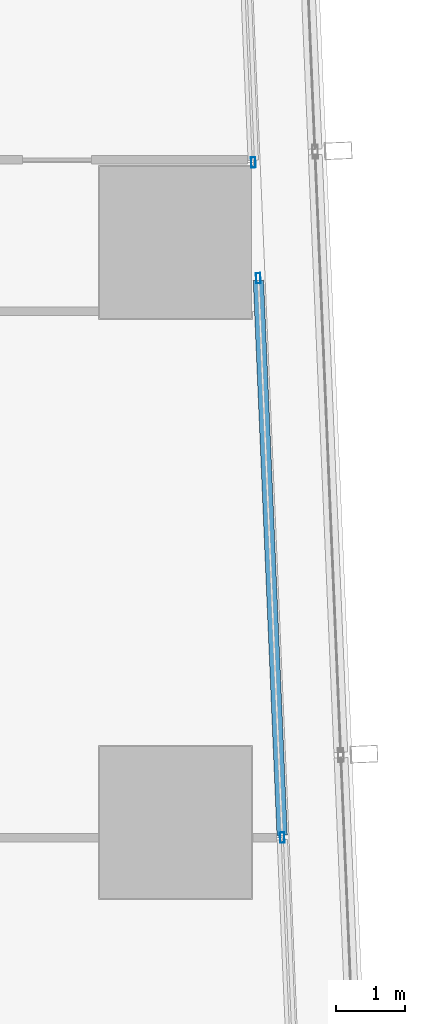
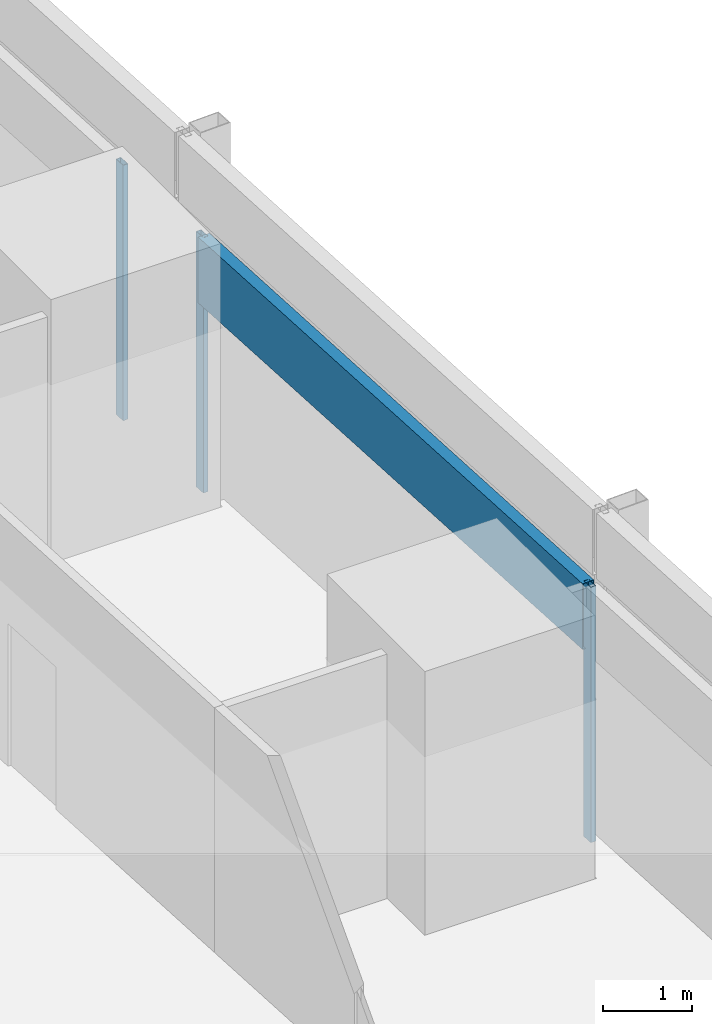
# One storey, part 18 of 42: 4 members, 2 elements without a shape of their own.
"""IFC4 building model written with IfcOpenShell, lengths in metres."""

import ifcopenshell
import ifcopenshell.guid

model = None  # the IFC model being written
_history = None  # IfcOwnerHistory: only IFC2X3 demands one
_inside = {}  # id of a spatial element -> (the spatial element, [elements in it])
_under = {}  # id of a project, library or spatial element -> (it, [spatial elements below it])
_declared = {}  # id of a project -> (the project, [libraries it declares])
_typed = {}  # id of a type object -> (the type object, [elements of that type])
_made_of = {}  # id of a material, layer set ... -> (it, [elements and type objects made of it])


def new_model(schema):
    """Start an empty IFC model of exactly this schema.

    Asked for "IFC4X3", IfcOpenShell would pick the latest addendum, in which some entities
    have other attributes; the version numbers below select the first issue.
    IFC2X3 requires an IfcOwnerHistory on every rooted entity: one is made here for all.
    """
    global model, _history
    if schema == "IFC4X3":
        model = ifcopenshell.file(schema_version=(4, 3, 0, 0))
    else:
        model = ifcopenshell.file(schema=schema)
    _inside.clear()
    _under.clear()
    _declared.clear()
    _typed.clear()
    _made_of.clear()
    _history = None
    if model.schema == "IFC2X3":
        org = make("IfcOrganization", Name="unknown")
        user = make(
            "IfcPersonAndOrganization",
            ThePerson=make("IfcPerson", FamilyName="unknown"),
            TheOrganization=org,
        )
        app = make(
            "IfcApplication",
            ApplicationDeveloper=org,
            Version="unknown",
            ApplicationFullName="unknown",
            ApplicationIdentifier="unknown",
        )
        _history = make(
            "IfcOwnerHistory",
            OwningUser=user,
            OwningApplication=app,
            ChangeAction="ADDED",
            CreationDate=0,
        )
    return model


def make(cls, **values):
    """One entity of the class cls with the attributes given. An attribute that is None is left unset."""
    return model.create_entity(
        cls, **{name: value for name, value in values.items() if value is not None}
    )


def rooted(cls, **values):
    """An entity with a GlobalId (a new one), such as an element, a storey or a relation."""
    return make(cls, GlobalId=ifcopenshell.guid.new(), OwnerHistory=_history, **values)


def si_unit(unit_type, name, prefix=None):
    """IfcSIUnit, for example si_unit("LENGTHUNIT", "METRE", prefix="MILLI")."""
    return make("IfcSIUnit", UnitType=unit_type, Prefix=prefix, Name=name)


def assignment(units):
    """IfcUnitAssignment: the units of a project."""
    return None if units is None else make("IfcUnitAssignment", Units=units)


def point(xyz):
    """IfcCartesianPoint."""
    return None if xyz is None else make("IfcCartesianPoint", Coordinates=xyz)


def direction(xyz):
    """IfcDirection."""
    return None if xyz is None else make("IfcDirection", DirectionRatios=xyz)


def frame(location, z_axis=None, x_axis=None):
    """IfcAxis2Placement3D, a coordinate frame: its origin and axes. An axis left out is left unset."""
    return make(
        "IfcAxis2Placement3D",
        Location=point(location),
        Axis=direction(z_axis),
        RefDirection=direction(x_axis),
    )


def frame_2d(location, x_axis=None):
    """IfcAxis2Placement2D, a coordinate frame in the plane: its origin and x axis."""
    return make(
        "IfcAxis2Placement2D", Location=point(location), RefDirection=direction(x_axis)
    )


def origin():
    """The frame at (0, 0, 0) with its axes left unset."""
    return frame((0.0, 0.0, 0.0))


def origin_2d():
    """The frame at (0, 0) in the plane with its x axis left unset."""
    return frame_2d((0.0, 0.0))


def place(relative_to, where):
    """IfcLocalPlacement: puts the frame where relative to a parent placement (None: the world)."""
    return make(
        "IfcLocalPlacement", PlacementRelTo=relative_to, RelativePlacement=where
    )


def context(
    kind, dimensions, precision=None, world=None, true_north=None, identifier=None
):
    """IfcGeometricRepresentationContext, for example the 3D "Model" context."""
    return make(
        "IfcGeometricRepresentationContext",
        ContextIdentifier=identifier,
        ContextType=kind,
        CoordinateSpaceDimension=dimensions,
        Precision=precision,
        WorldCoordinateSystem=world,
        TrueNorth=true_north,
    )


def subcontext(parent, identifier, kind, view, scale=None):
    """IfcGeometricRepresentationSubContext, for example "Body" below "Model"."""
    return make(
        "IfcGeometricRepresentationSubContext",
        ContextIdentifier=identifier,
        ContextType=kind,
        ParentContext=parent,
        TargetScale=scale,
        TargetView=view,
    )


def project(units=None, contexts=None):
    """IfcProject with its units and contexts."""
    return rooted(
        "IfcProject",
        Name="project",
        RepresentationContexts=contexts,
        UnitsInContext=assignment(units),
    )


def spatial(cls, under=None, at=None, **own):
    """A site, building, storey or space (cls), placed at a placement, below another one or the project."""
    s = rooted(cls, ObjectPlacement=at, **own)
    if under is not None:
        _under.setdefault(under.id(), (under, []))[1].append(s)
    return s


def profile(cls, at=None, kind="AREA", **sizes):
    """A parametric profile (cls). Its sizes go by their IFC names, for example OverallWidth=200.0."""
    return make(cls, ProfileType=kind, Position=at, **sizes)


def hollow_rectangle(**sizes):
    """IfcRectangleHollowProfileDef."""
    return profile("IfcRectangleHollowProfileDef", **sizes)


def extrude(swept, where, along, depth):
    """IfcExtrudedAreaSolid: the profile swept, set in the frame where, extruded along a direction by depth."""
    return make(
        "IfcExtrudedAreaSolid",
        SweptArea=swept,
        Position=where,
        ExtrudedDirection=direction(along),
        Depth=depth,
    )


def shape(context_of_items, identifier, shape_type, items):
    """IfcShapeRepresentation: the items that make up one representation, for example the "Body"."""
    return make(
        "IfcShapeRepresentation",
        ContextOfItems=context_of_items,
        RepresentationIdentifier=identifier,
        RepresentationType=shape_type,
        Items=items,
    )


def material(Name=None, Category=None):
    """IfcMaterial."""
    return make("IfcMaterial", Name=Name, Category=Category)


def material_profile(
    of_material, cross_section, Name=None, Category=None, Priority=None
):
    """IfcMaterialProfile: a cross section and its material."""
    return make(
        "IfcMaterialProfile",
        Name=Name,
        Material=of_material,
        Profile=cross_section,
        Priority=Priority,
        Category=Category,
    )


def profile_set(profiles, Name=None, composite=None):
    """IfcMaterialProfileSet."""
    return make(
        "IfcMaterialProfileSet",
        Name=Name,
        MaterialProfiles=profiles,
        CompositeProfile=composite,
    )


def made_of(thing, what):
    """Note that an element or type object is made of a material, layer set ...; save() writes the relation."""
    if what is not None:
        _made_of.setdefault(what.id(), (what, []))[1].append(thing)
    return thing


def type_object(cls, material=None, **own):
    """A type object (cls), such as IfcWallType, which elements share."""
    return made_of(rooted(cls, **own), material)


def element(
    cls,
    number,
    at=None,
    inside=None,
    cuts=None,
    type_object=None,
    material=None,
    context=None,
    identifier="Body",
    shape_type=None,
    held_by="IfcProductDefinitionShape",
    body=None,
    shapes=None,
    **own,
):
    """One element of the class cls, such as IfcWall. Its Tag is "e" and its number.

    at: its placement. inside: the storey or other place that contains it. cuts: it is an
    opening in that element (IfcRelVoidsElement). A single representation is given by context,
    identifier, shape_type and body (its items); several are given by shapes. held_by: the class
    of the entity that holds the representations. save() writes the other relations.
    """
    e = rooted(cls, Tag="e%d" % number, ObjectPlacement=at, **own)
    if body is not None:
        shapes = [shape(context, identifier, shape_type, body)]
    if shapes is not None:
        e.Representation = make(held_by, Representations=shapes)
    if inside is not None:
        _inside.setdefault(inside.id(), (inside, []))[1].append(e)
    if cuts is not None:
        rooted(
            "IfcRelVoidsElement", RelatingBuildingElement=cuts, RelatedOpeningElement=e
        )
    if type_object is not None:
        _typed.setdefault(type_object.id(), (type_object, []))[1].append(e)
    return made_of(e, material)


def aggregate(whole, parts):
    """IfcRelAggregates: a whole, such as a stair, and the parts it consists of."""
    return rooted("IfcRelAggregates", RelatingObject=whole, RelatedObjects=parts)


def save(model, path):
    """Write the relations noted so far, then the file.

    IfcRelAggregates (storeys below a building ...), IfcRelContainedInSpatialStructure (elements
    in a storey), IfcRelDefinesByType, IfcRelAssociatesMaterial and IfcRelDeclares: one each for
    every whole, place, type object, material and project.
    """
    for whole, parts in _under.values():
        aggregate(whole, parts)
    for where, things in _inside.values():
        rooted(
            "IfcRelContainedInSpatialStructure",
            RelatedElements=things,
            RelatingStructure=where,
        )
    for kind, things in _typed.values():
        rooted("IfcRelDefinesByType", RelatedObjects=things, RelatingType=kind)
    for what, things in _made_of.values():
        rooted("IfcRelAssociatesMaterial", RelatedObjects=things, RelatingMaterial=what)
    for by, libraries in _declared.values():
        rooted("IfcRelDeclares", RelatingContext=by, RelatedDefinitions=libraries)
    model.write(path)


model = new_model("IFC4")

# Units and contexts
model_context = context("Model", 3, precision=1e-05, world=origin(), true_north=direction((0.0, 1.0)))
body_context = subcontext(model_context, "Body", "Model", "MODEL_VIEW")
ifc_project = project(units=[si_unit("LENGTHUNIT", "METRE"), si_unit("AREAUNIT", "SQUARE_METRE"), si_unit("VOLUMEUNIT", "CUBIC_METRE"), si_unit("PLANEANGLEUNIT", "RADIAN"), si_unit("MASSUNIT", "GRAM", prefix="KILO")], contexts=[model_context])

# Site, building, storey
site_placement = place(None, origin())
site = spatial("IfcSite", under=ifc_project, at=site_placement, CompositionType="ELEMENT")
building_placement = place(site_placement, origin())
building = spatial("IfcBuilding", under=site, at=building_placement, Name="Rekha Terrace Tower", CompositionType="ELEMENT")
storey_placement = place(building_placement, frame((0.0, 0.0, 55.39990234375)))
storey = spatial("IfcBuildingStorey", under=building, at=storey_placement, Name="L13", CompositionType="ELEMENT", Elevation=55.39990234375)

# Curtain wall, members
ifc_material_1 = material(Name="Aluminium framing", Category="aluminium")
curtain_wall_type = type_object("IfcCurtainWallType", Name="CW1 double skin inner glazing", PredefinedType="USERDEFINED", material=ifc_material_1)
curtain_wall_1_placement = place(storey_placement, origin())
curtain_wall_1 = element("IfcCurtainWall", 1, at=curtain_wall_1_placement, inside=storey, type_object=curtain_wall_type, Name="CW1 double skin inner glazing", ObjectType="DOUBLE SKIN INNER GLAZING", PredefinedType="USERDEFINED")
ifc_material_2 = material(Name="Aluminium mullion section", Category="aluminium")
ifc_material_profile_1 = material_profile(ifc_material_2, hollow_rectangle(XDim=0.06494140625, YDim=0.14990234375, WallThickness=0.00390625, at=origin_2d()), Name="AL RHS 65x150")
ifc_profile_set_1 = profile_set([ifc_material_profile_1], Name="Aluminium mullion section")
member_type_1 = type_object("IfcMemberType", Name="CW1 mullion RHS 65 x 150", PredefinedType="MULLION", material=ifc_profile_set_1)
member_1_placement = place(storey_placement, frame((68.7431640625, 41.781494140625, 0.0), z_axis=(0.0, 0.0, 1.0), x_axis=(-0.999088106904, -0.042696072921, 0.0)))
member_1 = element("IfcMember", 2, at=member_1_placement, type_object=member_type_1, Name="CW1 mullion 3", PredefinedType="MULLION", context=body_context, shape_type="SweptSolid", body=[
    extrude(hollow_rectangle(XDim=0.06494140625, YDim=0.14990234375, WallThickness=0.00390625, at=origin_2d()), origin(), (0.0, 0.0, 1.0), 3.5),
])
member_2_placement = place(storey_placement, frame((68.397216796875, 49.8798828125, 0.0), z_axis=(0.0, 0.0, 1.0), x_axis=(-0.999088106904, -0.042696072921, 0.0)))
member_2 = element("IfcMember", 3, at=member_2_placement, type_object=member_type_1, Name="CW1 mullion 4", PredefinedType="MULLION", context=body_context, shape_type="SweptSolid", body=[
    extrude(hollow_rectangle(XDim=0.06494140625, YDim=0.14990234375, WallThickness=0.00390625, at=origin_2d()), origin(), (0.0, 0.0, 1.0), 3.5),
])

# Curtain wall, member
curtain_wall_2_placement = place(storey_placement, origin())
curtain_wall_2 = element("IfcCurtainWall", 4, at=curtain_wall_2_placement, inside=storey, type_object=curtain_wall_type, Name="CW1 double skin inner glazing", ObjectType="DOUBLE SKIN INNER GLAZING", PredefinedType="USERDEFINED")
member_3_placement = place(storey_placement, frame((68.325439453125, 51.556396484375, 0.0), z_axis=(0.0, 0.0, 1.0), x_axis=(-0.9990881069, -0.042696073026, 0.0)))
member_3 = element("IfcMember", 5, at=member_3_placement, type_object=member_type_1, Name="CW1 mullion 1", PredefinedType="MULLION", context=body_context, shape_type="SweptSolid", body=[
    extrude(hollow_rectangle(XDim=0.06494140625, YDim=0.14990234375, WallThickness=0.00390625, at=origin_2d()), origin(), (0.0, 0.0, 1.0), 3.5),
])
aggregate(curtain_wall_2, [member_3])

# Member
ifc_material_3 = material(Name="Insulated aluminium spandrel box", Category="aluminium")
ifc_material_profile_2 = material_profile(ifc_material_3, hollow_rectangle(XDim=0.14990234375, YDim=0.89990234375, WallThickness=0.0029296875, at=origin_2d()), Name="AL SPANDREL BOX 150x900")
ifc_profile_set_2 = profile_set([ifc_material_profile_2], Name="Insulated aluminium spandrel box")
member_type_2 = type_object("IfcMemberType", Name="CW1 spandrel transom 150 x 900", PredefinedType="USERDEFINED", material=ifc_profile_set_2)
member_4_placement = place(storey_placement, frame((68.741943359375, 41.81396484375, 3.050048828125), z_axis=(-0.042720422486, 0.999087066027, 0.0), x_axis=(-0.999087066027, -0.042720422486, 0.0)))
member_4 = element("IfcMember", 6, at=member_4_placement, type_object=member_type_2, Name="CW1 spandrel transom 3", ObjectType="TRANSOM", PredefinedType="USERDEFINED", context=body_context, shape_type="SweptSolid", body=[
    extrude(hollow_rectangle(XDim=0.14990234375, YDim=0.89990234375, WallThickness=0.0029296875, at=origin_2d()), origin(), (0.0, 0.0, 1.0), 8.040771484375),
])

aggregate(curtain_wall_1, [member_1, member_2, member_4])

save(model, "model.ifc")
